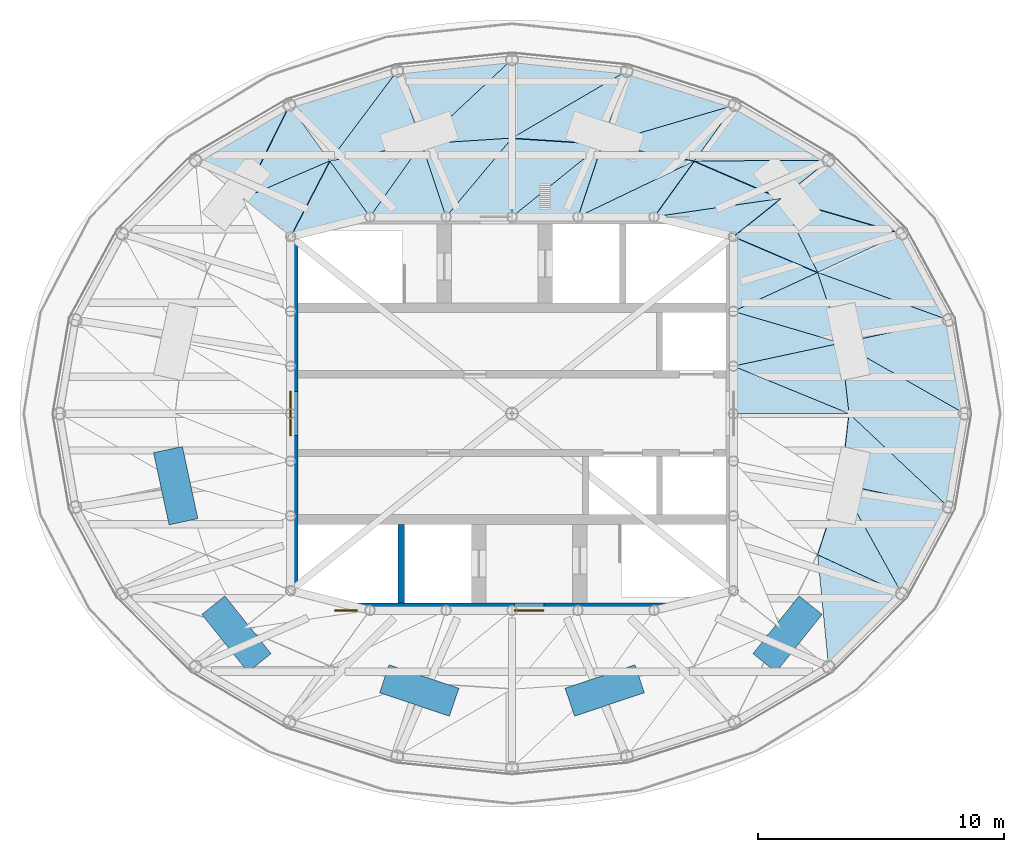
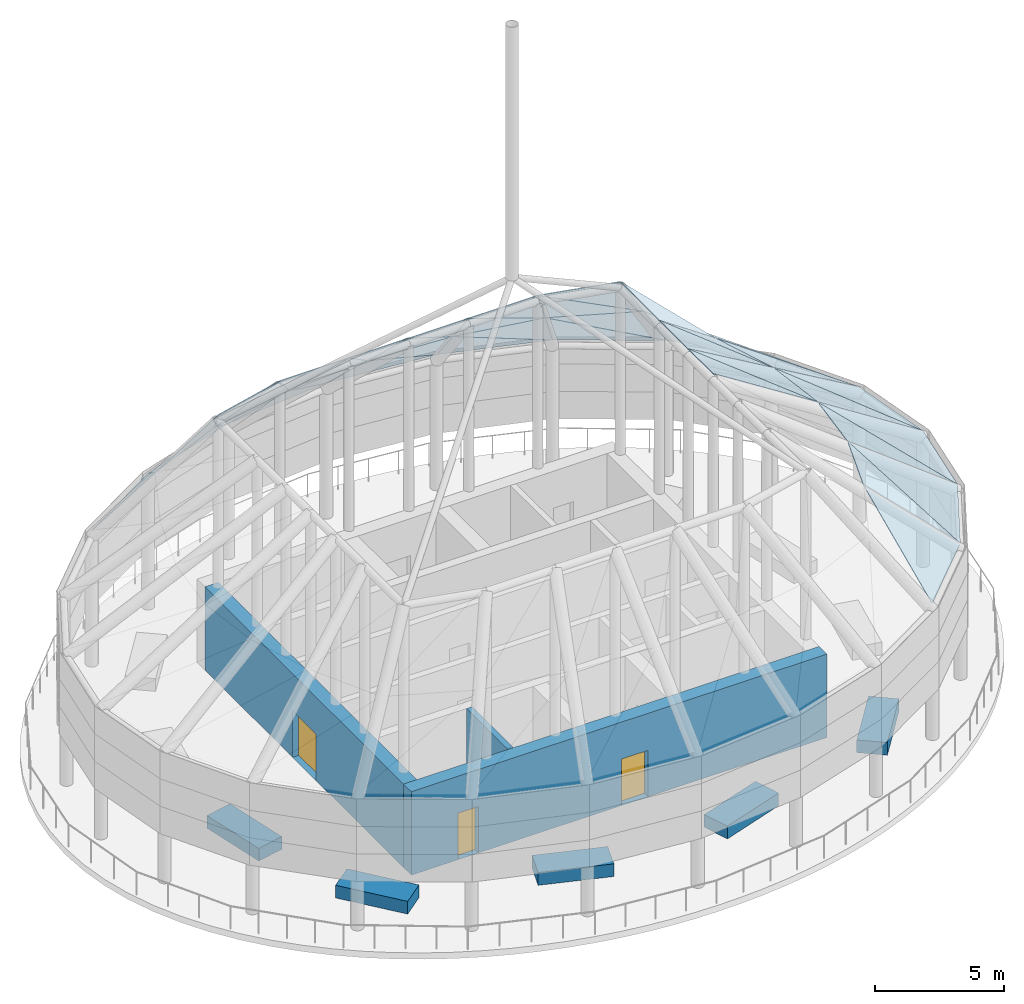
# One storey, part 5 of 8: 41 plates, 8 walls, 3 doors, 3 openings.
"""IFC4 building model written with IfcOpenShell, lengths in metres."""

from ifc_helpers import new_model, si_unit, direction, frame, frame_2d, origin, place, context, subcontext, project, spatial, polyline, rectangle, outline, extrude, material, layer, layer_set, type_object, element, fill, save


model = new_model("IFC4")

# Units and contexts
model_context = context("Model", 3, precision=1e-05, world=origin(), true_north=direction((0.0, 1.0)))
body_context = subcontext(model_context, "Body", "Model", "MODEL_VIEW")
ifc_project = project(units=[si_unit("LENGTHUNIT", "METRE"), si_unit("AREAUNIT", "SQUARE_METRE"), si_unit("VOLUMEUNIT", "CUBIC_METRE"), si_unit("PLANEANGLEUNIT", "RADIAN"), si_unit("MASSUNIT", "GRAM", prefix="KILO")], contexts=[model_context])

# Site, building, storey
site_placement = place(None, origin())
site = spatial("IfcSite", under=ifc_project, at=site_placement, CompositionType="ELEMENT")
building_placement = place(site_placement, origin())
building = spatial("IfcBuilding", under=site, at=building_placement, Name="Hankou Lantern Tower", CompositionType="ELEMENT")
storey_placement = place(building_placement, frame((0.0, 0.0, 248.699951171875)))
storey = spatial("IfcBuildingStorey", under=building, at=storey_placement, Name="RF", CompositionType="ELEMENT", Elevation=248.699951171875)

# Plates
ifc_material_1 = material(Name="Glass, dark grey tinted laminated", Category="glass")
ifc_layer_1 = layer(ifc_material_1, 0.030029296875)
ifc_layer_set_1 = layer_set([ifc_layer_1], Name="Glass, dark grey tinted laminated")
plate_type = type_object("IfcPlateType", Name="GL1 CANOPY GLASS PANEL", PredefinedType="USERDEFINED", material=ifc_layer_set_1)
plate_1_placement = place(storey_placement, frame((18.39990234375, 0.0, 6.300048828125), z_axis=(0.549338209606, 0.094376741568, 0.830253312019), x_axis=(-0.169320180804, 0.98556109723, 0.0)))
element("IfcPlate", 1, at=plate_1_placement, inside=storey, type_object=plate_type, Name="Canopy glass R01 panel 1", ObjectType="CANOPY GLAZING", PredefinedType="USERDEFINED", context=body_context, shape_type="SweptSolid", body=[
    extrude(outline(polyline([(0.0, 0.0), (3.859932407481599, 0.0), (3.6764139663669955, 5.382264040598354), (0.0, 0.0)])), origin(), (0.0, 0.0, -1.0), 0.030029296875),
])
plate_2_placement = place(storey_placement, frame((18.39990234375, 0.0, 6.300048828125), z_axis=(0.537031058597, 0.061194647965, 0.841339917728), x_axis=(-0.771185026963, 0.439810315537, 0.460261382841)))
element("IfcPlate", 2, at=plate_2_placement, inside=storey, type_object=plate_type, Name="Canopy glass R01 panel 2", ObjectType="CANOPY GLAZING", PredefinedType="USERDEFINED", context=body_context, shape_type="SweptSolid", body=[
    extrude(outline(polyline([(0.0, 0.0), (6.518035429085702, 1.1102230246251565e-16), (5.005316119731125, 2.456898768685626), (0.0, 0.0)])), origin(), (0.0, 0.0, -1.0), 0.030029296875),
])
plate_3_placement = place(storey_placement, frame((13.699951171875, 0.0, 9.300048828125), z_axis=(0.555285898564, 0.06327478558, 0.829248980925), x_axis=(-0.113217254498, 0.993570255837, 0.0)))
element("IfcPlate", 3, at=plate_3_placement, inside=storey, type_object=plate_type, Name="Canopy glass R01 panel 3", ObjectType="CANOPY GLAZING", PredefinedType="USERDEFINED", context=body_context, shape_type="SweptSolid", body=[
    extrude(outline(polyline([(0.0, 0.0), (2.8852506422255826, -5.551115123125783e-17), (2.448910529286129, 5.3678848593450965), (0.0, 0.0)])), origin(), (0.0, 0.0, -1.0), 0.030029296875),
])
plate_4_placement = place(storey_placement, frame((13.699951171875, 0.0, 9.300048828125), z_axis=(0.538039424477, 0.0, 0.842919674529), x_axis=(-0.796586439732, 0.326976575075, 0.508464712037)))
element("IfcPlate", 4, at=plate_4_placement, inside=storey, type_object=plate_type, Name="Canopy glass R01 panel 4", ObjectType="CANOPY GLAZING", PredefinedType="USERDEFINED", context=body_context, shape_type="SweptSolid", body=[
    extrude(outline(polyline([(0.0, 0.0), (5.900114460214716, 5.551115123125783e-16), (5.269311507030963, 1.8231558517801671), (0.0, 0.0)])), origin(), (0.0, 0.0, -1.0), 0.030029296875),
])
plate_5_placement = place(storey_placement, frame((17.746337890625, 3.80419921875, 6.300048828125), z_axis=(0.54836362822, 0.296444684201, 0.781932145684), x_axis=(-0.475556651725, 0.879685097634, 0.0)))
element("IfcPlate", 5, at=plate_5_placement, inside=storey, type_object=plate_type, Name="Canopy glass R02 panel 1", ObjectType="CANOPY GLAZING", PredefinedType="USERDEFINED", context=body_context, shape_type="SweptSolid", body=[
    extrude(outline(polyline([(0.0, 0.0), (3.99562592065885, 0.0), (4.232671604633307, 4.812600904015172), (0.0, 0.0)])), origin(), (0.0, 0.0, -1.0), 0.030029296875),
])
plate_6_placement = place(storey_placement, frame((17.746337890625, 3.80419921875, 6.300048828125), z_axis=(0.531004329742, 0.17572220486, 0.828948797282), x_axis=(-0.830574873354, 0.30173287341, 0.468084023288)))
element("IfcPlate", 6, at=plate_6_placement, inside=storey, type_object=plate_type, Name="Canopy glass R02 panel 2", ObjectType="CANOPY GLAZING", PredefinedType="USERDEFINED", context=body_context, shape_type="SweptSolid", body=[
    extrude(outline(polyline([(0.0, 0.0), (6.409105739024497, 0.0), (4.753520355414073, 2.5311043936612583), (0.0, 0.0)])), origin(), (0.0, 0.0, -1.0), 0.030029296875),
])
plate_7_placement = place(storey_placement, frame((13.373291015625, 2.86669921875, 9.300048828125), z_axis=(0.593403353884, 0.196371554572, 0.780583545916), x_axis=(-0.314168619848, 0.949367198877, 0.0)))
element("IfcPlate", 7, at=plate_7_placement, inside=storey, type_object=plate_type, Name="Canopy glass R02 panel 3", ObjectType="CANOPY GLAZING", PredefinedType="USERDEFINED", context=body_context, shape_type="SweptSolid", body=[
    extrude(outline(polyline([(0.0, 0.0), (3.0244755601650675, 0.0), (2.598903352879483, 4.7996048185246085), (0.0, 0.0)])), origin(), (0.0, 0.0, -1.0), 0.030029296875),
])
plate_8_placement = place(storey_placement, frame((13.373291015625, 2.86669921875, 9.300048828125), z_axis=(0.565678643812, 0.0, 0.824625776904), x_axis=(-0.80125258731, 0.236399258859, 0.549645050682)))
element("IfcPlate", 8, at=plate_8_placement, inside=storey, type_object=plate_type, Name="Canopy glass R02 panel 4", ObjectType="CANOPY GLAZING", PredefinedType="USERDEFINED", context=body_context, shape_type="SweptSolid", body=[
    extrude(outline(polyline([(0.0, 0.0), (5.458067886314062, 2.220446049250313e-16), (4.931421588197499, 2.164638925272759), (0.0, 0.0)])), origin(), (0.0, 0.0, -1.0), 0.030029296875),
])
plate_9_placement = place(storey_placement, frame((15.84619140625, 7.319091796875, 6.300048828125), z_axis=(0.546296302007, 0.547148208584, 0.634183875747), x_axis=(-0.707657475865, 0.706555657293, 0.0)))
element("IfcPlate", 9, at=plate_9_placement, inside=storey, type_object=plate_type, Name="Canopy glass R03 panel 1", ObjectType="CANOPY GLAZING", PredefinedType="USERDEFINED", context=body_context, shape_type="SweptSolid", body=[
    extrude(outline(polyline([(0.0, 0.0), (4.210014234969568, 0.0), (4.4852102571303485, 3.8800683147442587), (0.0, 0.0)])), origin(), (0.0, 0.0, -1.0), 0.030029296875),
])
plate_10_placement = place(storey_placement, frame((15.84619140625, 7.319091796875, 6.300048828125), z_axis=(0.558103032082, 0.276289078118, 0.782422744361), x_axis=(-0.82834720316, 0.240740206942, 0.505850831549)))
element("IfcPlate", 10, at=plate_10_placement, inside=storey, type_object=plate_type, Name="Canopy glass R03 panel 2", ObjectType="CANOPY GLAZING", PredefinedType="USERDEFINED", context=body_context, shape_type="SweptSolid", body=[
    extrude(outline(polyline([(0.0, 0.0), (5.930602092346917, 2.220446049250313e-16), (3.9724408138246377, 2.727092242348764), (0.0, 0.0)])), origin(), (0.0, 0.0, -1.0), 0.030029296875),
])
plate_11_placement = place(storey_placement, frame((12.423095703125, 5.738037109375, 9.300048828125), z_axis=(0.697631086496, 0.345362484478, 0.627722567277), x_axis=(-0.443661366366, 0.896194505671, 0.0)))
element("IfcPlate", 11, at=plate_11_placement, inside=storey, type_object=plate_type, Name="Canopy glass R03 panel 3", ObjectType="CANOPY GLAZING", PredefinedType="USERDEFINED", context=body_context, shape_type="SweptSolid", body=[
    extrude(outline(polyline([(0.0, 0.0), (3.357294698262698, 1.1102230246251565e-16), (2.8288546674255315, 3.8538757361223883), (0.0, 0.0)])), origin(), (0.0, 0.0, -1.0), 0.030029296875),
])
plate_12_placement = place(storey_placement, frame((12.423095703125, 5.738037109375, 9.300048828125), z_axis=(0.659100587128, 0.0, 0.752054795908), x_axis=(-0.716028894414, 0.305797091488, 0.627527498364)))
element("IfcPlate", 12, at=plate_12_placement, inside=storey, type_object=plate_type, Name="Canopy glass R03 panel 4", ObjectType="CANOPY GLAZING", PredefinedType="USERDEFINED", context=body_context, shape_type="SweptSolid", body=[
    extrude(outline(polyline([(0.0, 0.0), (4.780666995188861, 1.1102230246251565e-16), (3.8501360019508963, 2.897200525352039), (0.0, 0.0)])), origin(), (0.0, 0.0, -1.0), 0.030029296875),
])
plate_13_placement = place(storey_placement, frame((12.866943359375, 10.293701171875, 6.300048828125), z_axis=(0.371358340341, 0.631680779268, 0.680494214643), x_axis=(-0.862064554074, 0.506798485207, 0.0)))
element("IfcPlate", 13, at=plate_13_placement, inside=storey, type_object=plate_type, Name="Canopy glass R04 panel 1", ObjectType="CANOPY GLAZING", PredefinedType="USERDEFINED", context=body_context, shape_type="SweptSolid", body=[
    extrude(outline(polyline([(0.0, 0.0), (4.42903633646638, 2.220446049250313e-16), (4.690887876313194, 4.094146516882137), (0.0, 0.0)])), origin(), (0.0, 0.0, -1.0), 0.030029296875),
])
plate_14_placement = place(storey_placement, frame((12.866943359375, 10.293701171875, 6.300048828125), z_axis=(0.320598601065, 0.741756994254, 0.589078176874), x_axis=(-0.876256357512, -0.003921136428, 0.481829244244)))
element("IfcPlate", 14, at=plate_14_placement, inside=storey, type_object=plate_type, Name="Canopy glass R04 panel 2", ObjectType="CANOPY GLAZING", PredefinedType="USERDEFINED", context=body_context, shape_type="SweptSolid", body=[
    extrude(outline(polyline([(0.0, 0.0), (6.226272140682597, 2.220446049250313e-16), (3.1456631271512743, 2.288114172889179), (0.0, 0.0)])), origin(), (0.0, 0.0, -1.0), 0.030029296875),
])
plate_15_placement = place(storey_placement, frame((10.93359375, 8.746826171875, 9.300048828125), z_axis=(0.293297477888, 0.678591406505, 0.673416878673), x_axis=(-0.917929686015, 0.396743105211, 0.0)))
element("IfcPlate", 15, at=plate_15_placement, inside=storey, type_object=plate_type, Name="Canopy glass R04 panel 3", ObjectType="CANOPY GLAZING", PredefinedType="USERDEFINED", context=body_context, shape_type="SweptSolid", body=[
    extrude(outline(polyline([(0.0, 0.0), (3.837397342265557, 1.1102230246251565e-16), (4.4403624718672585, 4.058095978885223), (0.0, 0.0)])), origin(), (0.0, 0.0, -1.0), 0.030029296875),
])
plate_16_placement = place(storey_placement, frame((10.93359375, 8.746826171875, 9.300048828125), z_axis=(0.201271819582, 0.811720588221, 0.548269405767), x_axis=(-0.857825185258, -0.124152500081, 0.498720471066)))
element("IfcPlate", 16, at=plate_16_placement, inside=storey, type_object=plate_type, Name="Canopy glass R04 panel 4", ObjectType="CANOPY GLAZING", PredefinedType="USERDEFINED", context=body_context, shape_type="SweptSolid", body=[
    extrude(outline(polyline([(0.0, 0.0), (6.015393740679951, 4.440892098500626e-16), (3.346895228568505, 1.9823973831322108), (0.0, 0.0)])), origin(), (0.0, 0.0, -1.0), 0.030029296875),
])
plate_17_placement = place(storey_placement, frame((9.048828125, 12.538330078125, 6.300048828125), z_axis=(0.20944165984, 0.659936040849, 0.721539058618), x_axis=(-0.953150024165, 0.302497985836, 0.0)))
element("IfcPlate", 17, at=plate_17_placement, inside=storey, type_object=plate_type, Name="Canopy glass R05 panel 1", ObjectType="CANOPY GLAZING", PredefinedType="USERDEFINED", context=body_context, shape_type="SweptSolid", body=[
    extrude(outline(polyline([(0.0, 0.0), (4.598752211217408, 0.0), (4.64852729869685, 4.332920003602879), (0.0, 0.0)])), origin(), (0.0, 0.0, -1.0), 0.030029296875),
])
plate_18_placement = place(storey_placement, frame((9.048828125, 12.538330078125, 6.300048828125), z_axis=(0.139765497061, 0.751533996486, 0.644718743296), x_axis=(-0.846052885811, -0.247645849693, 0.472086906768)))
element("IfcPlate", 18, at=plate_18_placement, inside=storey, type_object=plate_type, Name="Canopy glass R05 panel 2", ObjectType="CANOPY GLAZING", PredefinedType="USERDEFINED", context=body_context, shape_type="SweptSolid", body=[
    extrude(outline(polyline([(0.0, 0.0), (6.354762135938041, -4.440892098500626e-16), (3.3637566395079412, 2.3485619431440448), (0.0, 0.0)])), origin(), (0.0, 0.0, -1.0), 0.030029296875),
])
plate_19_placement = place(storey_placement, frame((7.4111328125, 10.269287109375, 9.300048828125), z_axis=(0.127231077373, 0.684135083878, 0.718172291277), x_axis=(-0.983142933819, 0.182838649309, 0.0)))
element("IfcPlate", 19, at=plate_19_placement, inside=storey, type_object=plate_type, Name="Canopy glass R05 panel 3", ObjectType="CANOPY GLAZING", PredefinedType="USERDEFINED", context=body_context, shape_type="SweptSolid", body=[
    extrude(outline(polyline([(0.0, 0.0), (3.8028748441750744, 0.0), (4.237013660894918, 4.3111789922224), (0.0, 0.0)])), origin(), (0.0, 0.0, -1.0), 0.030029296875),
])
plate_20_placement = place(storey_placement, frame((7.4111328125, 10.269287109375, 9.300048828125), z_axis=(0.0, 0.797532135445, 0.603276464759), x_axis=(-0.782781556993, -0.375416881082, 0.496301520681)))
element("IfcPlate", 20, at=plate_20_placement, inside=storey, type_object=plate_type, Name="Canopy glass R05 panel 4", ObjectType="CANOPY GLAZING", PredefinedType="USERDEFINED", context=body_context, shape_type="SweptSolid", body=[
    extrude(outline(polyline([(0.0, 0.0), (6.0447124882487095, -4.440892098500626e-16), (3.6227909375237473, 1.9253819736238895), (0.0, 0.0)])), origin(), (0.0, 0.0, -1.0), 0.030029296875),
])
plate_21_placement = place(storey_placement, frame((4.66552734375, 13.929443359375, 6.300048828125), z_axis=(0.068803869817, 0.68232587037, 0.727803156164), x_axis=(-0.994954369815, 0.100328470467, 0.0)))
element("IfcPlate", 21, at=plate_21_placement, inside=storey, type_object=plate_type, Name="Canopy glass R06 panel 1", ObjectType="CANOPY GLAZING", PredefinedType="USERDEFINED", context=body_context, shape_type="SweptSolid", body=[
    extrude(outline(polyline([(0.0, 0.0), (4.689187248474738, 0.0), (4.368141041829955, 4.37454190008316), (0.0, 0.0)])), origin(), (0.0, 0.0, -1.0), 0.030029296875),
])
plate_22_placement = place(storey_placement, frame((4.66552734375, 13.929443359375, 6.300048828125), z_axis=(0.045056020699, 0.703042181907, 0.70971941319), x_axis=(-0.754693990463, -0.441521654285, 0.485278898734)))
element("IfcPlate", 22, at=plate_22_placement, inside=storey, type_object=plate_type, Name="Canopy glass R06 panel 2", ObjectType="CANOPY GLAZING", PredefinedType="USERDEFINED", context=body_context, shape_type="SweptSolid", body=[
    extrude(outline(polyline([(0.0, 0.0), (6.182012050853869, -2.220446049250313e-16), (3.5144143629105242, 2.5348698196798547), (0.0, 0.0)])), origin(), (0.0, 0.0, -1.0), 0.030029296875),
])
plate_23_placement = place(storey_placement, frame((3.67236328125, 10.964599609375, 9.300048828125), z_axis=(0.043790197117, 0.683290606885, 0.728832192744), x_axis=(-0.99795271821, 0.06395601784, 0.0)))
element("IfcPlate", 23, at=plate_23_placement, inside=storey, type_object=plate_type, Name="Canopy glass R06 panel 3", ObjectType="CANOPY GLAZING", PredefinedType="USERDEFINED", context=body_context, shape_type="SweptSolid", body=[
    extrude(outline(polyline([(0.0, 0.0), (3.6798970675067064, 0.0), (3.475240933270116, 4.381529797810751), (0.0, 0.0)])), origin(), (0.0, 0.0, -1.0), 0.030029296875),
])
plate_24_placement = place(storey_placement, frame((3.67236328125, 10.964599609375, 9.300048828125), z_axis=(0.0, 0.711290990678, 0.702897664372), x_axis=(-0.656668619014, -0.530110825734, 0.536440898181)))
element("IfcPlate", 24, at=plate_24_placement, inside=storey, type_object=plate_type, Name="Canopy glass R06 panel 4", ObjectType="CANOPY GLAZING", PredefinedType="USERDEFINED", context=body_context, shape_type="SweptSolid", body=[
    extrude(outline(polyline([(0.0, 0.0), (5.592414765857381, -2.220446049250313e-16), (3.8329083953299206, 2.0207805541849586), (0.0, 0.0)])), origin(), (0.0, 0.0, -1.0), 0.030029296875),
])
plate_25_placement = place(storey_placement, frame((0.0, 14.39990234375, 6.300048828125), z_axis=(-0.070359781084, 0.697755794771, 0.71287190439), x_axis=(-0.994954369815, -0.100328470467, 0.0)))
element("IfcPlate", 25, at=plate_25_placement, inside=storey, type_object=plate_type, Name="Canopy glass R07 panel 1", ObjectType="CANOPY GLAZING", PredefinedType="USERDEFINED", context=body_context, shape_type="SweptSolid", body=[
    extrude(outline(polyline([(0.0, 0.0), (4.689187248474738, 5.551115123125783e-17), (3.998492563159813, 4.277804830591654), (0.0, 0.0)])), origin(), (0.0, 0.0, -1.0), 0.030029296875),
])
plate_26_placement = place(storey_placement, frame((0.0, 14.39990234375, 6.300048828125), z_axis=(-0.043790197117, 0.683290606885, 0.728832192744), x_axis=(-0.627158576099, -0.586673868122, 0.512333770982)))
element("IfcPlate", 26, at=plate_26_placement, inside=storey, type_object=plate_type, Name="Canopy glass R07 panel 2", ObjectType="CANOPY GLAZING", PredefinedType="USERDEFINED", context=body_context, shape_type="SweptSolid", body=[
    extrude(outline(polyline([(0.0, 0.0), (5.85555778267772, 4.440892098500626e-16), (3.4143290447500383, 2.7535512845342964), (0.0, 0.0)])), origin(), (0.0, 0.0, -1.0), 0.030029296875),
])
plate_27_placement = place(storey_placement, frame((0.0, 11.199951171875, 9.300048828125), z_axis=(-0.045057967522, 0.703072559614, 0.709689196395), x_axis=(-0.99795271821, -0.06395601784, 0.0)))
element("IfcPlate", 27, at=plate_27_placement, inside=storey, type_object=plate_type, Name="Canopy glass R07 panel 3", ObjectType="CANOPY GLAZING", PredefinedType="USERDEFINED", context=body_context, shape_type="SweptSolid", body=[
    extrude(outline(polyline([(0.0, 0.0), (3.6798970675067064, 0.0), (2.8786139180136403, 4.258249185933244), (0.0, 0.0)])), origin(), (0.0, 0.0, -1.0), 0.030029296875),
])
plate_28_placement = place(storey_placement, frame((0.0, 11.199951171875, 9.300048828125), z_axis=(0.0, 0.683946683262, 0.729531996868), x_axis=(-0.521297373639, -0.622564435197, 0.583663063989)))
element("IfcPlate", 28, at=plate_28_placement, inside=storey, type_object=plate_type, Name="Canopy glass R07 panel 4", ObjectType="CANOPY GLAZING", PredefinedType="USERDEFINED", context=body_context, shape_type="SweptSolid", body=[
    extrude(outline(polyline([(0.0, 0.0), (5.139951771999712, 0.0), (3.743164985942843, 2.286570224243224), (0.0, 0.0)])), origin(), (0.0, 0.0, -1.0), 0.030029296875),
])
plate_29_placement = place(storey_placement, frame((-4.66552734375, 13.929443359375, 6.300048828125), z_axis=(-0.226409140064, 0.713399385873, 0.663174349272), x_axis=(-0.953150024165, -0.302497985836, 0.0)))
element("IfcPlate", 29, at=plate_29_placement, inside=storey, type_object=plate_type, Name="Canopy glass R08 panel 1", ObjectType="CANOPY GLAZING", PredefinedType="USERDEFINED", context=body_context, shape_type="SweptSolid", body=[
    extrude(outline(polyline([(0.0, 0.0), (4.598752211217408, 0.0), (3.7241638123545506, 4.008203720270814), (0.0, 0.0)])), origin(), (0.0, 0.0, -1.0), 0.030029296875),
])
plate_30_placement = place(storey_placement, frame((-4.66552734375, 13.929443359375, 6.300048828125), z_axis=(-0.127225044188, 0.684102642801, 0.718204262201), x_axis=(-0.501819835986, -0.668974122453, 0.548316036333)))
element("IfcPlate", 30, at=plate_30_placement, inside=storey, type_object=plate_type, Name="Canopy glass R08 panel 2", ObjectType="CANOPY GLAZING", PredefinedType="USERDEFINED", context=body_context, shape_type="SweptSolid", body=[
    extrude(outline(polyline([(0.0, 0.0), (5.471297210392063, 4.440892098500626e-16), (3.129962427912562, 2.9966662338023675), (0.0, 0.0)])), origin(), (0.0, 0.0, -1.0), 0.030029296875),
])
plate_31_placement = place(storey_placement, frame((-3.67236328125, 10.964599609375, 9.300048828125), z_axis=(-0.139759986033, 0.751504363101, 0.644754479275), x_axis=(-0.983142933819, -0.182838649309, 0.0)))
element("IfcPlate", 31, at=plate_31_placement, inside=storey, type_object=plate_type, Name="Canopy glass R08 panel 3", ObjectType="CANOPY GLAZING", PredefinedType="USERDEFINED", context=body_context, shape_type="SweptSolid", body=[
    extrude(outline(polyline([(0.0, 0.0), (3.8028748441750744, -5.551115123125783e-17), (2.607699659914028, 3.9246995044572), (0.0, 0.0)])), origin(), (0.0, 0.0, -1.0), 0.030029296875),
])
plate_32_placement = place(storey_placement, frame((-3.67236328125, 10.964599609375, 9.300048828125), z_axis=(0.0, 0.711290990678, 0.702897664372), x_axis=(-0.445894388805, -0.62915356301, 0.636666308347)))
element("IfcPlate", 32, at=plate_32_placement, inside=storey, type_object=plate_type, Name="Canopy glass R08 panel 4", ObjectType="CANOPY GLAZING", PredefinedType="USERDEFINED", context=body_context, shape_type="SweptSolid", body=[
    extrude(outline(polyline([(0.0, 0.0), (4.712044536780433, -2.220446049250313e-16), (3.332449910479968, 2.7693895372996398), (0.0, 0.0)])), origin(), (0.0, 0.0, -1.0), 0.030029296875),
])
plate_33_placement = place(storey_placement, frame((-9.048828125, 12.538330078125, 6.300048828125), z_axis=(-0.401336211928, 0.682673158401, 0.61064441682), x_axis=(-0.862064554074, -0.506798485207, 0.0)))
element("IfcPlate", 33, at=plate_33_placement, inside=storey, type_object=plate_type, Name="Canopy glass R09 panel 1", ObjectType="CANOPY GLAZING", PredefinedType="USERDEFINED", context=body_context, shape_type="SweptSolid", body=[
    extrude(outline(polyline([(0.0, 0.0), (4.42903633646638, 0.0), (3.546318074395998, 3.7883335977053174), (0.0, 0.0)])), origin(), (0.0, 0.0, -1.0), 0.030029296875),
])
plate_34_placement = place(storey_placement, frame((-9.048828125, 12.538330078125, 6.300048828125), z_axis=(-0.293308385405, 0.678616642819, 0.673386696587), x_axis=(-0.363208970733, -0.730652242938, 0.578123294348)))
element("IfcPlate", 34, at=plate_34_placement, inside=storey, type_object=plate_type, Name="Canopy glass R09 panel 2", ObjectType="CANOPY GLAZING", PredefinedType="USERDEFINED", context=body_context, shape_type="SweptSolid", body=[
    extrude(outline(polyline([(0.0, 0.0), (5.189204498985433, 4.440892098500626e-16), (2.7974255886580046, 3.0008352181583886), (0.0, 0.0)])), origin(), (0.0, 0.0, -1.0), 0.030029296875),
])
plate_35_placement = place(storey_placement, frame((-7.4111328125, 10.269287109375, 9.300048828125), z_axis=(-0.320593673702, 0.741745593998, 0.589095213159), x_axis=(-0.917929686015, -0.396743105211, 0.0)))
element("IfcPlate", 35, at=plate_35_placement, inside=storey, type_object=plate_type, Name="Canopy glass R09 panel 3", ObjectType="CANOPY GLAZING", PredefinedType="USERDEFINED", context=body_context, shape_type="SweptSolid", body=[
    extrude(outline(polyline([(0.0, 0.0), (3.837397342265557, 0.0), (2.6762062293215205, 3.7125789223777925), (0.0, 0.0)])), origin(), (0.0, 0.0, -1.0), 0.030029296875),
])
plate_36_placement = place(storey_placement, frame((-7.4111328125, 10.269287109375, 9.300048828125), z_axis=(-0.181969016676, 0.733873214646, 0.654459610514), x_axis=(-0.347171507506, -0.67065768168, 0.655507603602)))
element("IfcPlate", 36, at=plate_36_placement, inside=storey, type_object=plate_type, Name="Canopy glass R09 panel 4", ObjectType="CANOPY GLAZING", PredefinedType="USERDEFINED", context=body_context, shape_type="SweptSolid", body=[
    extrude(outline(polyline([(0.0, 0.0), (4.576605951657097, 0.0), (2.9198764921672695, 2.8820185967215717), (0.0, 0.0)])), origin(), (0.0, 0.0, -1.0), 0.030029296875),
])
plate_37_placement = place(storey_placement, frame((12.866943359375, -10.293701171875, 6.300048828125), z_axis=(0.456994914491, -0.457707562503, 0.762666005114), x_axis=(0.707657475865, 0.706555657293, 0.0)))
element("IfcPlate", 37, at=plate_37_placement, inside=storey, type_object=plate_type, Name="Canopy glass R22 panel 1", ObjectType="CANOPY GLAZING", PredefinedType="USERDEFINED", context=body_context, shape_type="SweptSolid", body=[
    extrude(outline(polyline([(0.0, 0.0), (4.210014234969568, 2.220446049250313e-16), (2.904738103993282, 4.638272559856971), (0.0, 0.0)])), origin(), (0.0, 0.0, -1.0), 0.030029296875),
])
plate_38_placement = place(storey_placement, frame((15.84619140625, -7.319091796875, 6.300048828125), z_axis=(0.503911829572, -0.272414098045, 0.819672756168), x_axis=(0.475556651725, 0.879685097634, 0.0)))
element("IfcPlate", 38, at=plate_38_placement, inside=storey, type_object=plate_type, Name="Canopy glass R23 panel 1", ObjectType="CANOPY GLAZING", PredefinedType="USERDEFINED", context=body_context, shape_type="SweptSolid", body=[
    extrude(outline(polyline([(0.0, 0.0), (3.99562592065885, 2.220446049250313e-16), (2.7406991699786127, 5.237137010941609), (0.0, 0.0)])), origin(), (0.0, 0.0, -1.0), 0.030029296875),
])
plate_39_placement = place(storey_placement, frame((15.84619140625, -7.319091796875, 6.300048828125), z_axis=(0.593403353884, -0.196371554572, 0.780583545916), x_axis=(-0.418360972609, 0.753248006464, 0.507534764678)))
element("IfcPlate", 39, at=plate_39_placement, inside=storey, type_object=plate_type, Name="Canopy glass R23 panel 2", ObjectType="CANOPY GLAZING", PredefinedType="USERDEFINED", context=body_context, shape_type="SweptSolid", body=[
    extrude(outline(polyline([(0.0, 0.0), (5.910925140085592, -2.220446049250313e-16), (4.145620233194915, 2.455840182044324), (0.0, 0.0)])), origin(), (0.0, 0.0, -1.0), 0.030029296875),
])
plate_40_placement = place(storey_placement, frame((17.746337890625, -3.80419921875, 6.300048828125), z_axis=(0.535755454372, -0.09204321341, 0.839341491871), x_axis=(0.169320180804, 0.98556109723, 0.0)))
element("IfcPlate", 40, at=plate_40_placement, inside=storey, type_object=plate_type, Name="Canopy glass R24 panel 1", ObjectType="CANOPY GLAZING", PredefinedType="USERDEFINED", context=body_context, shape_type="SweptSolid", body=[
    extrude(outline(polyline([(0.0, 0.0), (3.859932407481599, 0.0), (3.0641358252909736, 5.518718041156198), (0.0, 0.0)])), origin(), (0.0, 0.0, -1.0), 0.030029296875),
])
plate_41_placement = place(storey_placement, frame((17.746337890625, -3.80419921875, 6.300048828125), z_axis=(0.555306707488, -0.063277156755, 0.829234865434), x_axis=(-0.641031698263, 0.602664168115, 0.475262308933)))
element("IfcPlate", 41, at=plate_41_placement, inside=storey, type_object=plate_type, Name="Canopy glass R24 panel 2", ObjectType="CANOPY GLAZING", PredefinedType="USERDEFINED", context=body_context, shape_type="SweptSolid", body=[
    extrude(outline(polyline([(0.0, 0.0), (6.312303634459809, 1.1102230246251565e-16), (4.7940462492722, 2.4534803404116414), (0.0, 0.0)])), origin(), (0.0, 0.0, -1.0), 0.030029296875),
])

# Wall, openings, doors
ifc_material_2 = material(Name="Concrete C60", Category="concrete")
ifc_layer_2 = layer(ifc_material_2, 0.60009765625)
ifc_layer_set_2 = layer_set([ifc_layer_2], Name="Concrete C60")
wall_type_1 = type_object("IfcWallType", Name="CW3 CORE WALL 600", PredefinedType="SHEAR", material=ifc_layer_set_2)
wall_1_placement = place(storey_placement, frame((9.300048828125, -8.0, 0.0), z_axis=(0.0, 0.0, 1.0), x_axis=(-1.0, 0.0, 0.0)))
wall_1 = element("IfcWall", 42, at=wall_1_placement, inside=storey, type_object=wall_type_1, Name="Core wall south RF", PredefinedType="SHEAR", context=body_context, shape_type="SweptSolid", body=[
    extrude(rectangle(XDim=18.60009765625, YDim=0.60009765625, at=frame_2d((9.300048828125, 0.0))), origin(), (0.0, 0.0, 1.0), 3.949951171875),
])
opening_1_placement = place(wall_1_placement, frame((8.0, 0.0, 0.0)))
opening_1 = element("IfcOpeningElement", 43, at=opening_1_placement, cuts=wall_1, Name="Opening D5", PredefinedType="OPENING", context=body_context, shape_type="SweptSolid", body=[
    extrude(rectangle(XDim=1.199951171875, YDim=2.199951171875, at=frame_2d((0.60009765625, 1.10009765625))), frame((0.0, 0.31005859375, 0.0), z_axis=(0.0, -1.0, 0.0), x_axis=(1.0, 0.0, 0.0)), (0.0, 0.0, 1.0), 0.6201171875),
])
opening_2_placement = place(wall_1_placement, frame((15.60009765625, 0.0, 0.0)))
opening_2 = element("IfcOpeningElement", 44, at=opening_2_placement, cuts=wall_1, Name="Opening D7", PredefinedType="OPENING", context=body_context, shape_type="SweptSolid", body=[
    extrude(rectangle(XDim=0.89990234375, YDim=2.199951171875, at=frame_2d((0.449951171875, 1.10009765625))), frame((0.0, 0.31005859375, 0.0), z_axis=(0.0, -1.0, 0.0), x_axis=(1.0, 0.0, 0.0)), (0.0, 0.0, 1.0), 0.6201171875),
])
ifc_material_3 = material(Name="Steel door leaf", Category="steel")
door_type_1 = type_object("IfcDoorType", Name="D5 STAIR LOBBY DOOR 1200X2200", OperationType="SINGLE_SWING_LEFT", PredefinedType="DOOR", material=ifc_material_3)
door_1_placement = place(opening_1_placement, origin())
door_1 = element("IfcDoor", 45, at=door_1_placement, inside=storey, type_object=door_type_1, Name="Stair B lobby door", OperationType="SINGLE_SWING_LEFT", OverallHeight=2.199951171875, OverallWidth=1.199951171875, PredefinedType="DOOR", context=body_context, shape_type="SweptSolid", body=[
    extrude(rectangle(XDim=1.199951171875, YDim=2.199951171875, at=frame_2d((0.60009765625, 1.10009765625))), frame((0.0, 0.02490234375, 0.0), z_axis=(0.0, -1.0, 0.0), x_axis=(1.0, 0.0, 0.0)), (0.0, 0.0, 1.0), 0.050048828125),
])
fill(opening_1, door_1)
ifc_material_4 = material(Name="Steel door leaf", Category="steel")
door_type_2 = type_object("IfcDoorType", Name="D7 RISER DOOR 900X2200", OperationType="SINGLE_SWING_LEFT", PredefinedType="DOOR", material=ifc_material_4)
door_2_placement = place(opening_2_placement, origin())
door_2 = element("IfcDoor", 46, at=door_2_placement, inside=storey, type_object=door_type_2, Name="Riser S1 door", OperationType="SINGLE_SWING_RIGHT", OverallHeight=2.199951171875, OverallWidth=0.89990234375, PredefinedType="DOOR", context=body_context, shape_type="SweptSolid", body=[
    extrude(rectangle(XDim=0.89990234375, YDim=2.199951171875, at=frame_2d((0.449951171875, 1.10009765625))), frame((0.0, 0.02490234375, 0.0), z_axis=(0.0, -1.0, 0.0), x_axis=(1.0, 0.0, 0.0)), (0.0, 0.0, 1.0), 0.050048828125),
])
fill(opening_2, door_2)

# Wall, opening, door
wall_2_placement = place(storey_placement, frame((-9.0, 7.699951171875, 0.0), z_axis=(0.0, 0.0, 1.0), x_axis=(0.0, -1.0, 0.0)))
wall_2 = element("IfcWall", 47, at=wall_2_placement, inside=storey, type_object=wall_type_1, Name="Core wall west RF", PredefinedType="SHEAR", context=body_context, shape_type="SweptSolid", body=[
    extrude(rectangle(XDim=15.39990234375, YDim=0.60009765625, at=frame_2d((7.699951171875, 0.0))), origin(), (0.0, 0.0, 1.0), 3.949951171875),
])
opening_3_placement = place(wall_2_placement, frame((6.800048828125, 0.0, 0.0)))
opening_3 = element("IfcOpeningElement", 48, at=opening_3_placement, cuts=wall_2, Name="Opening D6", PredefinedType="OPENING", context=body_context, shape_type="SweptSolid", body=[
    extrude(rectangle(XDim=1.800048828125, YDim=2.199951171875, at=frame_2d((0.89990234375, 1.10009765625))), frame((0.0, 0.31005859375, 0.0), z_axis=(0.0, -1.0, 0.0), x_axis=(1.0, 0.0, 0.0)), (0.0, 0.0, 1.0), 0.6201171875),
])
ifc_material_5 = material(Name="Steel door leaf", Category="steel")
door_type_3 = type_object("IfcDoorType", Name="D6 LIFT LOBBY DOOR 1800X2200", OperationType="DOUBLE_DOOR_DOUBLE_SWING", PredefinedType="DOOR", material=ifc_material_5)
door_3_placement = place(opening_3_placement, origin())
door_3 = element("IfcDoor", 49, at=door_3_placement, inside=storey, type_object=door_type_3, Name="Lift lobby west door", OperationType="DOUBLE_DOOR_DOUBLE_SWING", OverallHeight=2.199951171875, OverallWidth=1.800048828125, PredefinedType="DOOR", context=body_context, shape_type="SweptSolid", body=[
    extrude(rectangle(XDim=1.800048828125, YDim=2.199951171875, at=frame_2d((0.89990234375, 1.10009765625))), frame((0.0, 0.02490234375, 0.0), z_axis=(0.0, -1.0, 0.0), x_axis=(1.0, 0.0, 0.0)), (0.0, 0.0, 1.0), 0.050048828125),
])
fill(opening_3, door_3)

# Walls
ifc_material_6 = material(Name="Precast concrete C40 planter", Category="concrete")
ifc_layer_3 = layer(ifc_material_6, 1.199951171875)
ifc_layer_set_3 = layer_set([ifc_layer_3], Name="Precast concrete C40 planter")
wall_type_2 = type_object("IfcWallType", Name="PL1 PLANTER 1200", PredefinedType="SOLIDWALL", material=ifc_layer_set_3)
for number, where, z_axis, x_axis, name in (
    (50, (-13.984130859375, -1.463623046875, 0.0), (0.0, 0.0, 1.0), (0.209556877387, -0.977796458952, 0.0), "Roof garden planter R14"),
    (51, (-12.1376953125, -7.789306640625, 0.0), (0.0, 0.0, 1.0), (0.624695047554, -0.780868809443, 0.0), "Roof garden planter R16"),
    (52, (-5.192626953125, -10.780517578125, 0.0), (0.0, 0.0, 1.0), (0.948218421885, -0.317618992501, 0.0), "Roof garden planter R18"),
    (53, (2.347900390625, -11.7333984375, 0.0), (0.0, 0.0, 1.0), (0.948218421885, 0.317618992501, 0.0), "Roof garden planter R20"),
    (54, (10.263671875, -10.1318359375, 0.0), (0.0, 0.0, 1.0), (0.624695047554, 0.780868809443, 0.0), "Roof garden planter R22"),
):
    element("IfcWall", number, at=place(storey_placement, frame(where, z_axis=z_axis, x_axis=x_axis)), inside=storey, type_object=wall_type_2, Name=name, PredefinedType="SOLIDWALL", context=body_context, shape_type="SweptSolid", body=[
        extrude(rectangle(XDim=3.0, YDim=1.199951171875, at=frame_2d((1.5, 0.0))), origin(), (0.0, 0.0, 1.0), 0.60009765625),
    ])
ifc_material_7 = material(Name="Masonry autoclaved aerated concrete block", Category="masonry")
ifc_layer_4 = layer(ifc_material_7, 0.25)
ifc_layer_set_4 = layer_set([ifc_layer_4], Name="Masonry autoclaved aerated concrete block")
wall_type_3 = type_object("IfcWallType", Name="SW1 SHAFT BLOCK WALL 250", PredefinedType="PARTITIONING", material=ifc_layer_set_4)
wall_3_placement = place(storey_placement, frame((-4.5, -7.699951171875, 0.0), z_axis=(0.0, 0.0, 1.0), x_axis=(0.0, 1.0, 0.0)))
element("IfcWall", 55, at=wall_3_placement, inside=storey, type_object=wall_type_3, Name="Riser wall RF", PredefinedType="PARTITIONING", context=body_context, shape_type="SweptSolid", body=[
    extrude(rectangle(XDim=3.199951171875, YDim=0.25, at=frame_2d((1.60009765625, 0.0))), origin(), (0.0, 0.0, 1.0), 3.949951171875),
])

save(model, "model.ifc")
